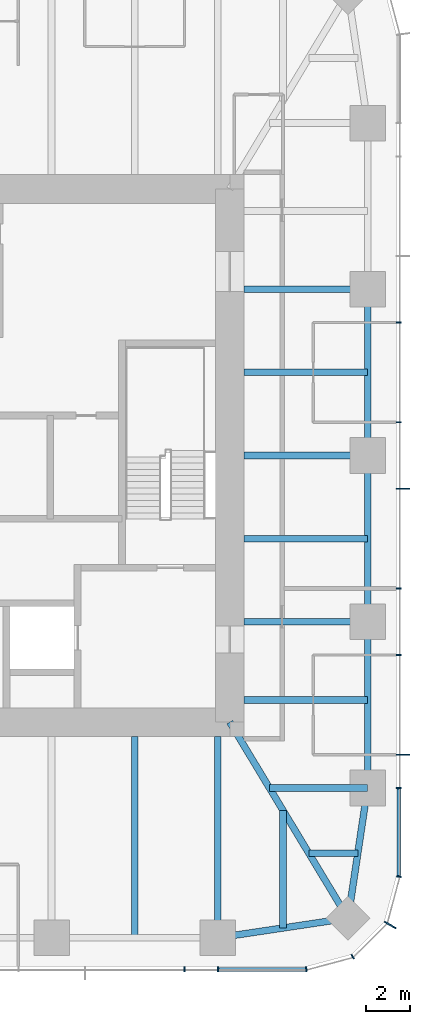
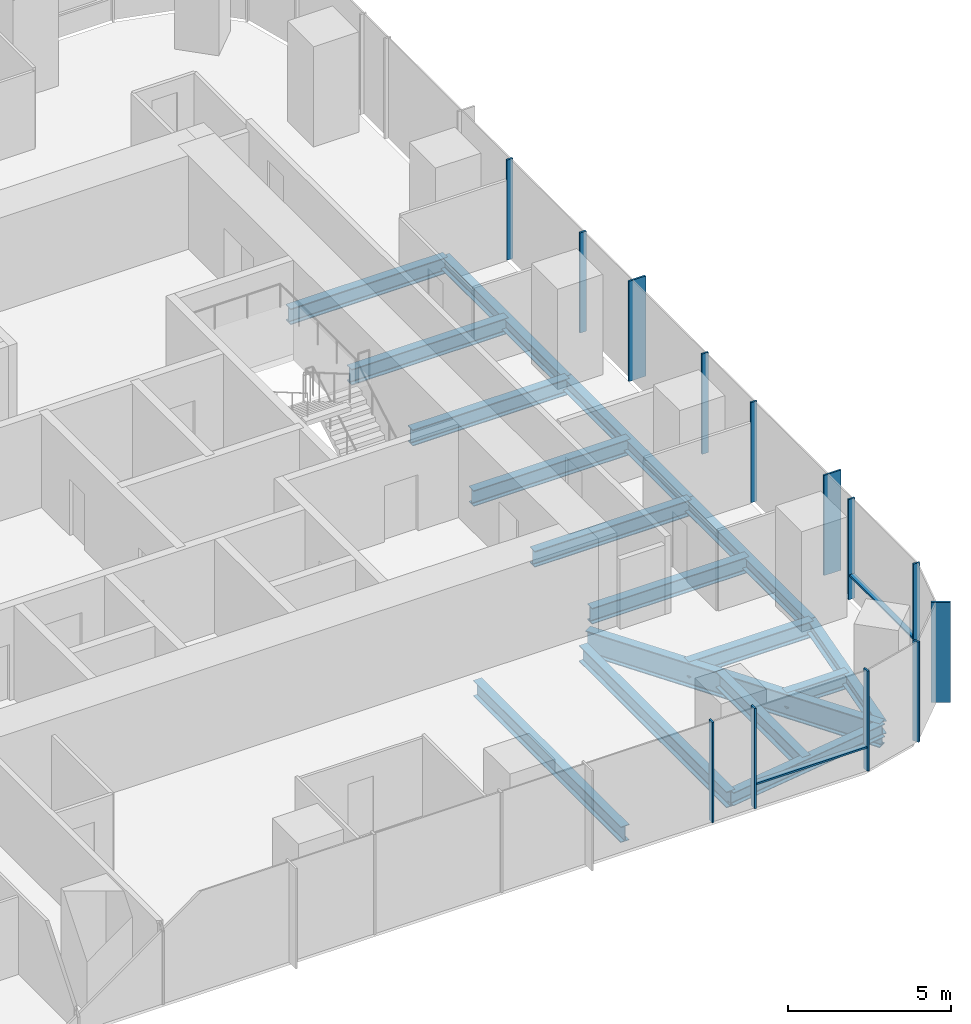
# One storey, part 4 of 12: 17 beams, 15 members, 3 elements without a shape of their own.
"""IFC4 building model written with IfcOpenShell, lengths in metres."""

from ifc_helpers import new_model, si_unit, direction, frame, origin, origin_2d, place, context, subcontext, project, spatial, rectangle, i_section, extrude, material, material_profile, profile_set, type_object, element, aggregate, save


model = new_model("IFC4")

# Units and contexts
model_context = context("Model", 3, precision=1e-05, world=origin(), true_north=direction((0.0, 1.0)))
body_context = subcontext(model_context, "Body", "Model", "MODEL_VIEW")
ifc_project = project(units=[si_unit("LENGTHUNIT", "METRE"), si_unit("AREAUNIT", "SQUARE_METRE"), si_unit("VOLUMEUNIT", "CUBIC_METRE"), si_unit("PLANEANGLEUNIT", "RADIAN"), si_unit("MASSUNIT", "GRAM", prefix="KILO")], contexts=[model_context])

# Site, building, storey
site_placement = place(None, origin())
site = spatial("IfcSite", under=ifc_project, at=site_placement, CompositionType="ELEMENT")
building_placement = place(site_placement, origin())
building = spatial("IfcBuilding", under=site, at=building_placement, Name="Khuree Lantern Residences", CompositionType="ELEMENT")
storey_placement = place(building_placement, frame((0.0, 0.0, 338.25)))
storey = spatial("IfcBuildingStorey", under=building, at=storey_placement, Name="L85", CompositionType="ELEMENT", Elevation=338.25)

# Beams
ifc_material_1 = material(Name="Steel S355", Category="steel")
ifc_material_profile_1 = material_profile(ifc_material_1, i_section(OverallWidth=0.300048828125, OverallDepth=0.590087890625, WebThickness=0.012939453125, FlangeThickness=0.02490234375, FilletRadius=0.027099609375, at=origin_2d()), Name="HE 600 A")
ifc_profile_set_1 = profile_set([ifc_material_profile_1], Name="Steel S355")
beam_type_1 = type_object("IfcBeamType", Name="B-44 SECONDARY BEAM HE 600 A", PredefinedType="BEAM", material=ifc_profile_set_1)
for number, where, z_axis, x_axis, name in (
    (1, (21.699951171875, 3.739990234375, -0.544921875), (-1.0, 0.0, 0.0), (0.0, -1.0, 0.0), "Secondary beam E3"),
    (2, (21.699951171875, -3.739990234375, -0.544921875), (-1.0, 0.0, 0.0), (0.0, -1.0, 0.0), "Secondary beam E4"),
    (3, (21.699951171875, -11.0, -0.544921875), (-1.0, 0.0, 0.0), (0.0, -1.0, 0.0), "Secondary beam E5"),
):
    element("IfcBeam", number, at=place(storey_placement, frame(where, z_axis=z_axis, x_axis=x_axis)), inside=storey, type_object=beam_type_1, Name=name, PredefinedType="BEAM", context=body_context, shape_type="SweptSolid", body=[
        extrude(i_section(OverallWidth=0.300048828125, OverallDepth=0.590087890625, WebThickness=0.012939453125, FlangeThickness=0.02490234375, FilletRadius=0.027099609375, at=origin_2d()), origin(), (0.0, 0.0, 1.0), 5.550048828125),
    ])
beam_1_placement = place(storey_placement, frame((21.2607421875, -17.890625, -0.544921875), z_axis=(-1.0, 0.0, 0.0), x_axis=(0.0, -1.0, 0.0)))
element("IfcBeam", 4, at=beam_1_placement, inside=storey, type_object=beam_type_1, Name="Secondary beam E6", PredefinedType="BEAM", context=body_context, shape_type="SweptSolid", body=[
    extrude(i_section(OverallWidth=0.300048828125, OverallDepth=0.590087890625, WebThickness=0.012939453125, FlangeThickness=0.02490234375, FilletRadius=0.027099609375, at=origin_2d()), origin(), (0.0, 0.0, 1.0), 2.207275390625),
])
beam_2_placement = place(storey_placement, frame((17.890625, -21.2607421875, -0.544921875), z_axis=(0.0, 1.0, 0.0), x_axis=(-1.0, 0.0, 0.0)))
element("IfcBeam", 5, at=beam_2_placement, inside=storey, type_object=beam_type_1, Name="Secondary beam S1", PredefinedType="BEAM", context=body_context, shape_type="SweptSolid", body=[
    extrude(i_section(OverallWidth=0.300048828125, OverallDepth=0.590087890625, WebThickness=0.012939453125, FlangeThickness=0.02490234375, FilletRadius=0.027099609375, at=origin_2d()), origin(), (0.0, 0.0, 1.0), 5.297607421875),
])
beam_3_placement = place(storey_placement, frame((11.219970703125, -21.699951171875, -0.544921875), z_axis=(0.0, 1.0, 0.0), x_axis=(-1.0, 0.0, 0.0)))
element("IfcBeam", 6, at=beam_3_placement, inside=storey, type_object=beam_type_1, Name="Secondary beam S2", PredefinedType="BEAM", context=body_context, shape_type="SweptSolid", body=[
    extrude(i_section(OverallWidth=0.300048828125, OverallDepth=0.590087890625, WebThickness=0.012939453125, FlangeThickness=0.02490234375, FilletRadius=0.027099609375, at=origin_2d()), origin(), (0.0, 0.0, 1.0), 9.050048828125),
])
ifc_material_profile_2 = material_profile(ifc_material_1, i_section(OverallWidth=0.300048828125, OverallDepth=0.489990234375, WebThickness=0.011962890625, FlangeThickness=0.02294921875, FilletRadius=0.027099609375, at=origin_2d()), Name="HE 500 A")
ifc_profile_set_2 = profile_set([ifc_material_profile_2], Name="Steel S355")
beam_type_2 = type_object("IfcBeamType", Name="E-44 SPANDREL BEAM HE 500 A", PredefinedType="SPANDREL", material=ifc_profile_set_2)
for number, where, z_axis, x_axis, name in (
    (7, (21.699951171875, 7.47998046875, -0.4951171875), (0.0, -1.0, 0.0), (1.0, 0.0, 0.0), "Spandrel beam E3"),
    (8, (21.699951171875, 0.0, -0.4951171875), (0.0, -1.0, 0.0), (1.0, 0.0, 0.0), "Spandrel beam E4"),
    (9, (21.699951171875, -7.47998046875, -0.4951171875), (0.0, -1.0, 0.0), (1.0, 0.0, 0.0), "Spandrel beam E5"),
):
    element("IfcBeam", number, at=place(storey_placement, frame(where, z_axis=z_axis, x_axis=x_axis)), inside=storey, type_object=beam_type_2, Name=name, PredefinedType="SPANDREL", context=body_context, shape_type="SweptSolid", body=[
        extrude(i_section(OverallWidth=0.300048828125, OverallDepth=0.489990234375, WebThickness=0.011962890625, FlangeThickness=0.02294921875, FilletRadius=0.027099609375, at=origin_2d()), origin(), (0.0, 0.0, 1.0), 7.47998046875),
    ])
for number, where, z_axis, x_axis, name in (
    (10, (21.699951171875, -14.9599609375, -0.4951171875), (-0.148251822985, -0.988949643299, 0.0), (0.988949643299, -0.148251822985, 0.0), "Spandrel beam E6"),
    (11, (20.8212890625, -20.8212890625, -0.4951171875), (-0.988949643299, -0.148251822985, 0.0), (0.148251822985, -0.988949643299, 0.0), "Spandrel beam S1"),
):
    element("IfcBeam", number, at=place(storey_placement, frame(where, z_axis=z_axis, x_axis=x_axis)), inside=storey, type_object=beam_type_2, Name=name, PredefinedType="SPANDREL", context=body_context, shape_type="SweptSolid", body=[
        extrude(i_section(OverallWidth=0.300048828125, OverallDepth=0.489990234375, WebThickness=0.011962890625, FlangeThickness=0.02294921875, FilletRadius=0.027099609375, at=origin_2d()), origin(), (0.0, 0.0, 1.0), 5.9267578125),
    ])

# Curtain wall, member
ifc_material_2 = material(Name="Bronze anodised aluminium", Category="aluminium")
curtain_wall_type_1 = type_object("IfcCurtainWallType", Name="CW-T2 TOWER CORNER CURTAIN WALL", PredefinedType="USERDEFINED", material=ifc_material_2)
curtain_wall_1_placement = place(storey_placement, origin())
curtain_wall_1 = element("IfcCurtainWall", 12, at=curtain_wall_1_placement, inside=storey, type_object=curtain_wall_type_1, Name="L85 SOUTH-EAST CORNER CURTAIN WALL", ObjectType="Faceted corner curtain wall", PredefinedType="USERDEFINED")
ifc_material_profile_3 = material_profile(ifc_material_2, rectangle(XDim=0.06494140625, YDim=0.60009765625, at=origin_2d()), Name="F1 65X600")
ifc_profile_set_3 = profile_set([ifc_material_profile_3], Name="Bronze anodised aluminium")
member_type_1 = type_object("IfcMemberType", Name="F1 BRONZE FIN MULLION TOWER 65X600", PredefinedType="MULLION", material=ifc_profile_set_3)
member_1_placement = place(storey_placement, frame((22.71728515625, -21.125, 0.0), z_axis=(0.0, 0.0, 1.0), x_axis=(0.49999994149, 0.866025437565, 0.0)))
member_1 = element("IfcMember", 13, at=member_1_placement, type_object=member_type_1, Name="L85 SOUTH-EAST CORNER FIN MULLION 3", PredefinedType="MULLION", context=body_context, shape_type="SweptSolid", body=[
    extrude(rectangle(XDim=0.06494140625, YDim=0.60009765625, at=origin_2d()), origin(), (0.0, 0.0, 1.0), 3.75),
])

# Curtain wall, members
curtain_wall_type_2 = type_object("IfcCurtainWallType", Name="CW-T1 TOWER FACE CURTAIN WALL", PredefinedType="USERDEFINED", material=ifc_material_2)
curtain_wall_2_placement = place(storey_placement, origin())
curtain_wall_2 = element("IfcCurtainWall", 14, at=curtain_wall_2_placement, inside=storey, type_object=curtain_wall_type_2, Name="L85 EAST FACE CURTAIN WALL", ObjectType="Stick-built curtain wall", PredefinedType="USERDEFINED")
member_2_placement = place(storey_placement, frame((23.300048828125, -13.464111328125, 0.0), z_axis=(0.0, 0.0, 1.0), x_axis=(0.0, 1.0, 0.0)))
member_2 = element("IfcMember", 15, at=member_2_placement, type_object=member_type_1, Name="L85 EAST FACE FIN MULLION 6", PredefinedType="MULLION", context=body_context, shape_type="SweptSolid", body=[
    extrude(rectangle(XDim=0.06494140625, YDim=0.60009765625, at=origin_2d()), origin(), (0.0, 0.0, 1.0), 3.75),
])
member_3_placement = place(storey_placement, frame((23.300048828125, -1.49609375, 0.0), z_axis=(0.0, 0.0, 1.0), x_axis=(0.0, 1.0, 0.0)))
member_3 = element("IfcMember", 16, at=member_3_placement, type_object=member_type_1, Name="L85 EAST FACE FIN MULLION 9", PredefinedType="MULLION", context=body_context, shape_type="SweptSolid", body=[
    extrude(rectangle(XDim=0.06494140625, YDim=0.60009765625, at=origin_2d()), origin(), (0.0, 0.0, 1.0), 3.75),
])

# Beams
ifc_material_profile_4 = material_profile(ifc_material_1, i_section(OverallWidth=0.300048828125, OverallDepth=0.60009765625, WebThickness=0.015380859375, FlangeThickness=0.030029296875, FilletRadius=0.027099609375, at=origin_2d()), Name="HE 600 B")
ifc_profile_set_4 = profile_set([ifc_material_profile_4], Name="Steel S355")
beam_type_3 = type_object("IfcBeamType", Name="G-44 GIRDER HE 600 B", PredefinedType="BEAM", material=ifc_profile_set_4)
for number, where, z_axis, x_axis, name in (
    (17, (21.699951171875, 7.47998046875, -0.550048828125), (-1.0, 0.0, 0.0), (0.0, -1.0, 0.0), "Girder E2"),
    (18, (21.699951171875, 0.0, -0.550048828125), (-1.0, 0.0, 0.0), (0.0, -1.0, 0.0), "Girder E3"),
    (19, (21.699951171875, -7.47998046875, -0.550048828125), (-1.0, 0.0, 0.0), (0.0, -1.0, 0.0), "Girder E4"),
):
    element("IfcBeam", number, at=place(storey_placement, frame(where, z_axis=z_axis, x_axis=x_axis)), inside=storey, type_object=beam_type_3, Name=name, PredefinedType="BEAM", context=body_context, shape_type="SweptSolid", body=[
        extrude(i_section(OverallWidth=0.300048828125, OverallDepth=0.60009765625, WebThickness=0.015380859375, FlangeThickness=0.030029296875, FilletRadius=0.027099609375, at=origin_2d()), origin(), (0.0, 0.0, 1.0), 5.550048828125),
    ])
beam_4_placement = place(storey_placement, frame((21.699951171875, -14.9599609375, -0.550048828125), z_axis=(-1.0, 0.0, 0.0), x_axis=(0.0, -1.0, 0.0)))
element("IfcBeam", 20, at=beam_4_placement, inside=storey, type_object=beam_type_3, Name="Girder E5", PredefinedType="BEAM", context=body_context, shape_type="SweptSolid", body=[
    extrude(i_section(OverallWidth=0.300048828125, OverallDepth=0.60009765625, WebThickness=0.015380859375, FlangeThickness=0.030029296875, FilletRadius=0.027099609375, at=origin_2d()), origin(), (0.0, 0.0, 1.0), 4.414306640625),
])
beam_5_placement = place(storey_placement, frame((14.9599609375, -21.699951171875, -0.550048828125), z_axis=(0.0, 1.0, 0.0), x_axis=(-1.0, 0.0, 0.0)))
element("IfcBeam", 21, at=beam_5_placement, inside=storey, type_object=beam_type_3, Name="Girder S1", PredefinedType="BEAM", context=body_context, shape_type="SweptSolid", body=[
    extrude(i_section(OverallWidth=0.300048828125, OverallDepth=0.60009765625, WebThickness=0.015380859375, FlangeThickness=0.030029296875, FilletRadius=0.027099609375, at=origin_2d()), origin(), (0.0, 0.0, 1.0), 9.050048828125),
])
ifc_material_profile_5 = material_profile(ifc_material_1, i_section(OverallWidth=0.300048828125, OverallDepth=0.89990234375, WebThickness=0.0185546875, FlangeThickness=0.034912109375, FilletRadius=0.030029296875, at=origin_2d()), Name="HE 900 B")
ifc_profile_set_5 = profile_set([ifc_material_profile_5], Name="Steel S355")
beam_type_4 = type_object("IfcBeamType", Name="GD-44 CORNER GIRDER HE 900 B", PredefinedType="BEAM", material=ifc_profile_set_5)
beam_6_placement = place(storey_placement, frame((20.8212890625, -20.8212890625, -0.699951171875), z_axis=(-0.516529577604, 0.856269347495, 0.0), x_axis=(-0.856269347495, -0.516529577604, 0.0)))
element("IfcBeam", 22, at=beam_6_placement, inside=storey, type_object=beam_type_4, Name="Corner girder SE", PredefinedType="BEAM", context=body_context, shape_type="SweptSolid", body=[
    extrude(i_section(OverallWidth=0.300048828125, OverallDepth=0.89990234375, WebThickness=0.0185546875, FlangeThickness=0.034912109375, FilletRadius=0.030029296875, at=origin_2d()), origin(), (0.0, 0.0, 1.0), 10.302001953125),
])

# Member
ifc_material_profile_6 = material_profile(ifc_material_2, rectangle(XDim=0.06494140625, YDim=0.219970703125, at=origin_2d()), Name="M1 65X220")
ifc_profile_set_6 = profile_set([ifc_material_profile_6], Name="Bronze anodised aluminium")
member_type_2 = type_object("IfcMemberType", Name="M1 BRONZE MULLION TOWER 65X220", PredefinedType="MULLION", material=ifc_profile_set_6)
member_4_placement = place(storey_placement, frame((18.945068359375, -23.11181640625, 0.0), z_axis=(0.0, 0.0, 1.0), x_axis=(0.991444870192, 0.130526125236, 0.0)))
member_4 = element("IfcMember", 23, at=member_4_placement, type_object=member_type_2, Name="L85 SOUTH-EAST CORNER MULLION 1", PredefinedType="MULLION", context=body_context, shape_type="SweptSolid", body=[
    extrude(rectangle(XDim=0.06494140625, YDim=0.219970703125, at=origin_2d()), origin(), (0.0, 0.0, 1.0), 3.75),
])

member_5_placement = place(storey_placement, frame((21.030029296875, -22.552734375, 0.0), z_axis=(0.0, 0.0, 1.0), x_axis=(0.866025437565, 0.49999994149, 0.0)))
member_5 = element("IfcMember", 24, at=member_5_placement, type_object=member_type_2, Name="L85 SOUTH-EAST CORNER MULLION 2", PredefinedType="MULLION", context=body_context, shape_type="SweptSolid", body=[
    extrude(rectangle(XDim=0.06494140625, YDim=0.219970703125, at=origin_2d()), origin(), (0.0, 0.0, 1.0), 3.75),
])

aggregate(curtain_wall_1, [member_4, member_5, member_1])

member_6_placement = place(storey_placement, frame((23.11181640625, -18.945068359375, 0.0), z_axis=(0.0, 0.0, 1.0), x_axis=(0.130526125236, 0.991444870192, 0.0)))
member_6 = element("IfcMember", 25, at=member_6_placement, type_object=member_type_2, Name="L85 EAST FACE MULLION 4", PredefinedType="MULLION", context=body_context, shape_type="SweptSolid", body=[
    extrude(rectangle(XDim=0.06494140625, YDim=0.219970703125, at=origin_2d()), origin(), (0.0, 0.0, 1.0), 3.75),
])

member_7_placement = place(storey_placement, frame((23.110107421875, -14.9599609375, 0.0), z_axis=(0.0, 0.0, 1.0), x_axis=(0.0, 1.0, 0.0)))
member_7 = element("IfcMember", 26, at=member_7_placement, type_object=member_type_2, Name="L85 EAST FACE MULLION 5", PredefinedType="MULLION", context=body_context, shape_type="SweptSolid", body=[
    extrude(rectangle(XDim=0.06494140625, YDim=0.219970703125, at=origin_2d()), origin(), (0.0, 0.0, 1.0), 3.75),
])

member_8_placement = place(storey_placement, frame((23.110107421875, -8.97607421875, 0.0), z_axis=(0.0, 0.0, 1.0), x_axis=(0.0, 1.0, 0.0)))
member_8 = element("IfcMember", 27, at=member_8_placement, type_object=member_type_2, Name="L85 EAST FACE MULLION 7", PredefinedType="MULLION", context=body_context, shape_type="SweptSolid", body=[
    extrude(rectangle(XDim=0.06494140625, YDim=0.219970703125, at=origin_2d()), origin(), (0.0, 0.0, 1.0), 3.75),
])

member_9_placement = place(storey_placement, frame((23.110107421875, -5.98388671875, 0.0), z_axis=(0.0, 0.0, 1.0), x_axis=(0.0, 1.0, 0.0)))
member_9 = element("IfcMember", 28, at=member_9_placement, type_object=member_type_2, Name="L85 EAST FACE MULLION 8", PredefinedType="MULLION", context=body_context, shape_type="SweptSolid", body=[
    extrude(rectangle(XDim=0.06494140625, YDim=0.219970703125, at=origin_2d()), origin(), (0.0, 0.0, 1.0), 3.75),
])

member_10_placement = place(storey_placement, frame((23.110107421875, 1.49609375, 0.0), z_axis=(0.0, 0.0, 1.0), x_axis=(0.0, 1.0, 0.0)))
member_10 = element("IfcMember", 29, at=member_10_placement, type_object=member_type_2, Name="L85 EAST FACE MULLION 10", PredefinedType="MULLION", context=body_context, shape_type="SweptSolid", body=[
    extrude(rectangle(XDim=0.06494140625, YDim=0.219970703125, at=origin_2d()), origin(), (0.0, 0.0, 1.0), 3.75),
])

member_11_placement = place(storey_placement, frame((23.110107421875, 5.98388671875, 0.0), z_axis=(0.0, 0.0, 1.0), x_axis=(0.0, 1.0, 0.0)))
member_11 = element("IfcMember", 30, at=member_11_placement, type_object=member_type_2, Name="L85 EAST FACE MULLION 11", PredefinedType="MULLION", context=body_context, shape_type="SweptSolid", body=[
    extrude(rectangle(XDim=0.06494140625, YDim=0.219970703125, at=origin_2d()), origin(), (0.0, 0.0, 1.0), 3.75),
])

# Curtain wall, members
curtain_wall_3_placement = place(storey_placement, origin())
curtain_wall_3 = element("IfcCurtainWall", 31, at=curtain_wall_3_placement, inside=storey, type_object=curtain_wall_type_2, Name="L85 SOUTH FACE CURTAIN WALL", ObjectType="Stick-built curtain wall", PredefinedType="USERDEFINED")
member_12_placement = place(storey_placement, frame((13.464111328125, -23.110107421875, 0.0), z_axis=(0.0, 0.0, 1.0), x_axis=(1.0, 0.0, 0.0)))
member_12 = element("IfcMember", 32, at=member_12_placement, type_object=member_type_2, Name="L85 SOUTH FACE MULLION 55", PredefinedType="MULLION", context=body_context, shape_type="SweptSolid", body=[
    extrude(rectangle(XDim=0.06494140625, YDim=0.219970703125, at=origin_2d()), origin(), (0.0, 0.0, 1.0), 3.75),
])
member_13_placement = place(storey_placement, frame((14.9599609375, -23.110107421875, 0.0), z_axis=(0.0, 0.0, 1.0), x_axis=(1.0, 0.0, 0.0)))
member_13 = element("IfcMember", 33, at=member_13_placement, type_object=member_type_2, Name="L85 SOUTH FACE MULLION 56", PredefinedType="MULLION", context=body_context, shape_type="SweptSolid", body=[
    extrude(rectangle(XDim=0.06494140625, YDim=0.219970703125, at=origin_2d()), origin(), (0.0, 0.0, 1.0), 3.75),
])

# Member
ifc_material_profile_7 = material_profile(ifc_material_2, rectangle(XDim=0.179931640625, YDim=0.06494140625, at=origin_2d()), Name="T1 180X65")
ifc_profile_set_7 = profile_set([ifc_material_profile_7], Name="Bronze anodised aluminium")
member_type_3 = type_object("IfcMemberType", Name="TRANSOM T1 TOWER 180X65", PredefinedType="USERDEFINED", material=ifc_profile_set_7)
member_14_placement = place(storey_placement, frame((23.1201171875, -18.9013671875, 0.89990234375), z_axis=(0.0, 1.0, 0.0), x_axis=(-1.0, 0.0, 0.0)))
member_14 = element("IfcMember", 34, at=member_14_placement, type_object=member_type_3, Name="L85 EAST FACE TRANSOM 4.1", ObjectType="Transom", PredefinedType="USERDEFINED", context=body_context, shape_type="SweptSolid", body=[
    extrude(rectangle(XDim=0.179931640625, YDim=0.06494140625, at=origin_2d()), origin(), (0.0, 0.0, 1.0), 3.908935546875),
])

aggregate(curtain_wall_2, [member_6, member_7, member_2, member_8, member_9, member_3, member_10, member_11, member_14])

member_15_placement = place(storey_placement, frame((14.992431640625, -23.1201171875, 0.89990234375), z_axis=(1.0, 0.0, 0.0), x_axis=(0.0, 1.0, 0.0)))
member_15 = element("IfcMember", 35, at=member_15_placement, type_object=member_type_3, Name="L85 SOUTH FACE TRANSOM 56.1", ObjectType="Transom", PredefinedType="USERDEFINED", context=body_context, shape_type="SweptSolid", body=[
    extrude(rectangle(XDim=0.179931640625, YDim=0.06494140625, at=origin_2d()), origin(), (0.0, 0.0, 1.0), 3.908935546875),
])

aggregate(curtain_wall_3, [member_12, member_13, member_15])

save(model, "model.ifc")
